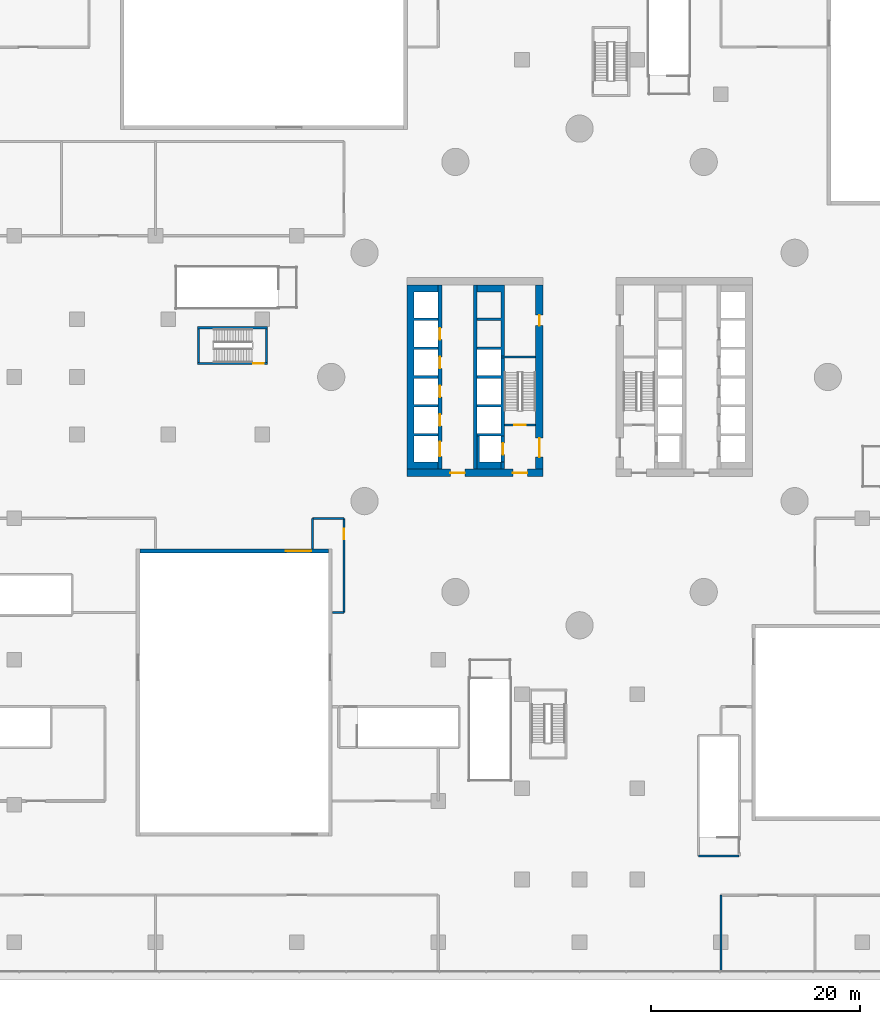
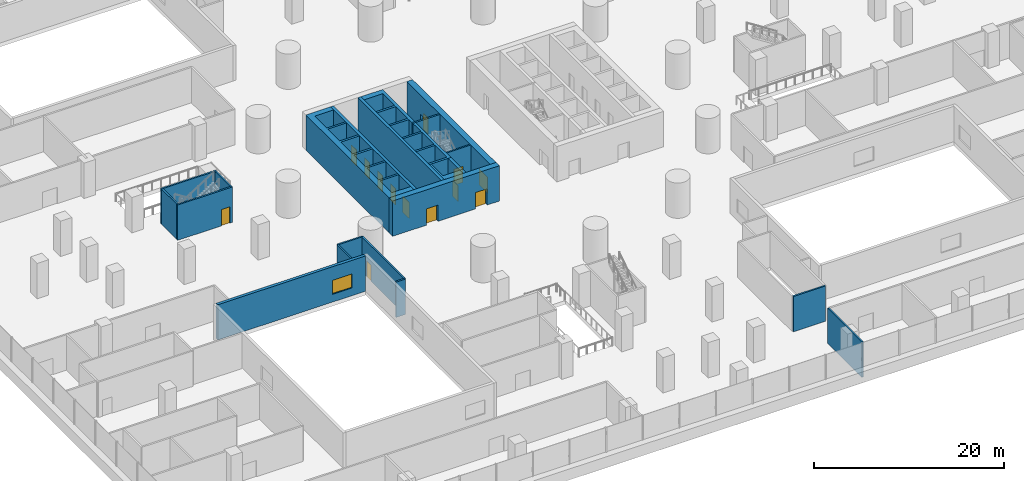
# One storey, part 24 of 38: 22 walls, 13 doors, 1 window, 14 openings.
"""IFC4 building model written with IfcOpenShell, lengths in metres."""

from ifc_helpers import new_model, si_unit, direction, frame, frame_2d, origin, place, context, subcontext, project, spatial, polyline, rectangle, outline, extrude, material, layer, layer_set, type_object, element, fill, save


model = new_model("IFC4")

# Units and contexts
model_context = context("Model", 3, precision=1e-05, world=origin(), true_north=direction((0.0, 1.0)))
body_context = subcontext(model_context, "Body", "Model", "MODEL_VIEW")
ifc_project = project(units=[si_unit("LENGTHUNIT", "METRE"), si_unit("AREAUNIT", "SQUARE_METRE"), si_unit("VOLUMEUNIT", "CUBIC_METRE"), si_unit("PLANEANGLEUNIT", "RADIAN"), si_unit("MASSUNIT", "GRAM", prefix="KILO")], contexts=[model_context])

# Site, building, storey
site_placement = place(None, origin())
site = spatial("IfcSite", under=ifc_project, at=site_placement, CompositionType="ELEMENT")
building_placement = place(site_placement, origin())
building = spatial("IfcBuilding", under=site, at=building_placement, Name="Tamarind Cross Interchange Tower", CompositionType="ELEMENT")
storey_placement = place(building_placement, frame((0.0, 0.0, 20.0)))
storey = spatial("IfcBuildingStorey", under=building, at=storey_placement, Name="L03", CompositionType="ELEMENT", Elevation=20.0)

# Wall, openings, doors
ifc_material_1 = material(Name="Concrete C80", Category="concrete")
ifc_layer_1 = layer(ifc_material_1, 0.699951171875)
ifc_layer_set_1 = layer_set([ifc_layer_1], Name="Concrete C80")
wall_type_1 = type_object("IfcWallType", Name="Core wall 700 mm Concrete C80", PredefinedType="SHEAR", material=ifc_layer_set_1)
wall_1_placement = place(storey_placement, frame((-16.5, -9.14990234375, 0.0), z_axis=(0.0, 0.0, 1.0), x_axis=(1.0, 0.0, 0.0)))
wall_1 = element("IfcWall", 1, at=wall_1_placement, inside=storey, type_object=wall_type_1, Name="Core wall CWL-L03-W-S", PredefinedType="SHEAR", context=body_context, shape_type="SweptSolid", body=[
    extrude(rectangle(XDim=13.0, YDim=0.699951171875, at=frame_2d((6.5, 0.0))), origin(), (0.0, 0.0, 1.0), 4.550048828125),
])
opening_1_placement = place(wall_1_placement, frame((4.14990234375, 0.0, 0.0)))
opening_1 = element("IfcOpeningElement", 2, at=opening_1_placement, cuts=wall_1, Name="Opening DCW1", PredefinedType="OPENING", context=body_context, shape_type="SweptSolid", body=[
    extrude(rectangle(XDim=1.39990234375, YDim=2.10009765625, at=frame_2d((0.699951171875, 1.050048828125))), frame((0.0, 0.35986328125, 0.0), z_axis=(0.0, -1.0, 0.0), x_axis=(1.0, 0.0, 0.0)), (0.0, 0.0, 1.0), 0.719970703125),
])
opening_2_placement = place(wall_1_placement, frame((10.125, 0.0, 0.0)))
opening_2 = element("IfcOpeningElement", 3, at=opening_2_placement, cuts=wall_1, Name="Opening DCWF", PredefinedType="OPENING", context=body_context, shape_type="SweptSolid", body=[
    extrude(rectangle(XDim=1.39990234375, YDim=2.10009765625, at=frame_2d((0.699951171875, 1.050048828125))), frame((0.0, 0.35986328125, 0.0), z_axis=(0.0, -1.0, 0.0), x_axis=(1.0, 0.0, 0.0)), (0.0, 0.0, 1.0), 0.719970703125),
])
ifc_material_2 = material(Name="Steel, fire-resisting", Category="steel")
door_type_1 = type_object("IfcDoorType", Name="Core fire door 1400 x 2100 FD90", OperationType="SINGLE_SWING_LEFT", PredefinedType="DOOR", material=ifc_material_2)
door_1_placement = place(opening_1_placement, origin())
door_1 = element("IfcDoor", 4, at=door_1_placement, inside=storey, type_object=door_type_1, Name="L03 lift lobby door", OperationType="SINGLE_SWING_LEFT", OverallHeight=2.10009765625, OverallWidth=1.39990234375, PredefinedType="DOOR", context=body_context, shape_type="SweptSolid", body=[
    extrude(rectangle(XDim=1.39990234375, YDim=2.10009765625, at=frame_2d((0.699951171875, 1.050048828125))), frame((0.0, 0.02490234375, 0.0), z_axis=(0.0, -1.0, 0.0), x_axis=(1.0, 0.0, 0.0)), (0.0, 0.0, 1.0), 0.050048828125),
])
fill(opening_1, door_1)
door_2_placement = place(opening_2_placement, origin())
door_2 = element("IfcDoor", 5, at=door_2_placement, inside=storey, type_object=door_type_1, Name="L03 firefighting lobby end door", OperationType="SINGLE_SWING_LEFT", OverallHeight=2.10009765625, OverallWidth=1.39990234375, PredefinedType="DOOR", context=body_context, shape_type="SweptSolid", body=[
    extrude(rectangle(XDim=1.39990234375, YDim=2.10009765625, at=frame_2d((0.699951171875, 1.050048828125))), frame((0.0, 0.02490234375, 0.0), z_axis=(0.0, -1.0, 0.0), x_axis=(1.0, 0.0, 0.0)), (0.0, 0.0, 1.0), 0.050048828125),
])
fill(opening_2, door_2)

# Wall
wall_2_placement = place(storey_placement, origin())
element("IfcWall", 6, at=wall_2_placement, inside=storey, type_object=wall_type_1, Name="Core wall CWL-L03-W-A", PredefinedType="SHEAR", context=body_context, shape_type="SweptSolid", body=[
    extrude(outline(polyline([(-13.5, -8.800048828125), (-13.5, -8.125), (-15.800048828125, -8.125), (-15.800048828125, -5.625), (-13.5, -5.625), (-13.5, -5.375), (-15.800048828125, -5.375), (-15.800048828125, -2.875), (-13.5, -2.875), (-13.5, -2.625), (-15.800048828125, -2.625), (-15.800048828125, -0.125), (-13.5, -0.125), (-13.5, 0.125), (-15.800048828125, 0.125), (-15.800048828125, 2.625), (-13.5, 2.625), (-13.5, 2.875), (-15.800048828125, 2.875), (-15.800048828125, 5.375), (-13.5, 5.375), (-13.5, 5.625), (-15.800048828125, 5.625), (-15.800048828125, 8.125), (-13.5, 8.125), (-13.5, 8.800048828125), (-15.800048828125, 8.800048828125), (-16.5, 8.800048828125), (-16.5, -8.800048828125), (-15.800048828125, -8.800048828125), (-13.5, -8.800048828125)])), origin(), (0.0, 0.0, 1.0), 4.550048828125),
])

# Wall, openings, doors
wall_3_placement = place(storey_placement, frame((-3.85009765625, -8.800048828125, 0.0), z_axis=(0.0, 0.0, 1.0), x_axis=(0.0, 1.0, 0.0)))
wall_3 = element("IfcWall", 7, at=wall_3_placement, inside=storey, type_object=wall_type_1, Name="Core wall CWL-L03-W-IN", PredefinedType="SHEAR", context=body_context, shape_type="SweptSolid", body=[
    extrude(rectangle(XDim=17.60009765625, YDim=0.699951171875, at=frame_2d((8.800048828125, 0.0))), origin(), (0.0, 0.0, 1.0), 4.550048828125),
])
opening_3_placement = place(wall_3_placement, frame((1.14990234375, 0.0, 0.0)))
opening_3 = element("IfcOpeningElement", 8, at=opening_3_placement, cuts=wall_3, Name="Opening DCW4", PredefinedType="OPENING", context=body_context, shape_type="SweptSolid", body=[
    extrude(rectangle(XDim=1.800048828125, YDim=2.10009765625, at=frame_2d((0.89990234375, 1.050048828125))), frame((0.0, 0.35986328125, 0.0), z_axis=(0.0, -1.0, 0.0), x_axis=(1.0, 0.0, 0.0)), (0.0, 0.0, 1.0), 0.719970703125),
])
opening_4_placement = place(wall_3_placement, frame((13.699951171875, 0.0, 0.0)))
opening_4 = element("IfcOpeningElement", 9, at=opening_4_placement, cuts=wall_3, Name="Opening DCW5", PredefinedType="OPENING", context=body_context, shape_type="SweptSolid", body=[
    extrude(rectangle(XDim=1.0, YDim=2.10009765625, at=frame_2d((0.5, 1.050048828125))), frame((0.0, 0.35986328125, 0.0), z_axis=(0.0, -1.0, 0.0), x_axis=(1.0, 0.0, 0.0)), (0.0, 0.0, 1.0), 0.719970703125),
])
door_type_2 = type_object("IfcDoorType", Name="Core fire door 1000 x 2100 FD90", OperationType="SINGLE_SWING_LEFT", PredefinedType="DOOR", material=ifc_material_2)
door_3_placement = place(opening_4_placement, origin())
door_3 = element("IfcDoor", 10, at=door_3_placement, inside=storey, type_object=door_type_2, Name="L03 riser room door", OperationType="SINGLE_SWING_LEFT", OverallHeight=2.10009765625, OverallWidth=1.0, PredefinedType="DOOR", context=body_context, shape_type="SweptSolid", body=[
    extrude(rectangle(XDim=1.0, YDim=2.10009765625, at=frame_2d((0.5, 1.050048828125))), frame((0.0, 0.02490234375, 0.0), z_axis=(0.0, -1.0, 0.0), x_axis=(1.0, 0.0, 0.0)), (0.0, 0.0, 1.0), 0.050048828125),
])
fill(opening_4, door_3)
door_type_3 = type_object("IfcDoorType", Name="Core fire door 1800 x 2100 FD90", OperationType="SINGLE_SWING_LEFT", PredefinedType="DOOR", material=ifc_material_2)
door_4_placement = place(opening_3_placement, origin())
door_4 = element("IfcDoor", 11, at=door_4_placement, inside=storey, type_object=door_type_3, Name="L03 firefighting lobby door", OperationType="SINGLE_SWING_LEFT", OverallHeight=2.10009765625, OverallWidth=1.800048828125, PredefinedType="DOOR", context=body_context, shape_type="SweptSolid", body=[
    extrude(rectangle(XDim=1.800048828125, YDim=2.10009765625, at=frame_2d((0.89990234375, 1.050048828125))), frame((0.0, 0.02490234375, 0.0), z_axis=(0.0, -1.0, 0.0), x_axis=(1.0, 0.0, 0.0)), (0.0, 0.0, 1.0), 0.050048828125),
])
fill(opening_3, door_4)

# Walls
ifc_layer_2 = layer(ifc_material_1, 0.199951171875)
ifc_layer_set_2 = layer_set([ifc_layer_2], Name="Concrete C80")
wall_type_2 = type_object("IfcWallType", Name="Core web wall 200 mm Concrete C80", PredefinedType="SHEAR", material=ifc_layer_set_2)
wall_4_placement = place(storey_placement, frame((-7.5, 1.89990234375, 0.0), z_axis=(0.0, 0.0, 1.0), x_axis=(1.0, 0.0, 0.0)))
element("IfcWall", 12, at=wall_4_placement, inside=storey, type_object=wall_type_2, Name="Core wall CWL-L03-W-BD", PredefinedType="SHEAR", context=body_context, shape_type="SweptSolid", body=[
    extrude(rectangle(XDim=3.300048828125, YDim=0.199951171875, at=frame_2d((1.64990234375, 0.0))), origin(), (0.0, 0.0, 1.0), 4.550048828125),
])
ifc_layer_3 = layer(ifc_material_1, 0.35009765625)
ifc_layer_set_3 = layer_set([ifc_layer_3], Name="Concrete C80")
wall_type_3 = type_object("IfcWallType", Name="Core web wall 350 mm Concrete C80", PredefinedType="SHEAR", material=ifc_layer_set_3)
wall_5_placement = place(storey_placement, origin())
element("IfcWall", 13, at=wall_5_placement, inside=storey, type_object=wall_type_3, Name="Core wall CWL-L03-W-BN", PredefinedType="SHEAR", context=body_context, shape_type="SweptSolid", body=[
    extrude(outline(polyline([(-9.800048828125, -5.375), (-9.800048828125, -5.625), (-7.5, -5.625), (-7.14990234375, -5.625), (-7.14990234375, 8.800048828125), (-7.5, 8.800048828125), (-9.800048828125, 8.800048828125), (-9.800048828125, 8.125), (-7.5, 8.125), (-7.5, 5.625), (-9.800048828125, 5.625), (-9.800048828125, 5.375), (-7.5, 5.375), (-7.5, 2.875), (-9.800048828125, 2.875), (-9.800048828125, 2.625), (-7.5, 2.625), (-7.5, 0.125), (-9.800048828125, 0.125), (-9.800048828125, -0.125), (-7.5, -0.125), (-7.5, -2.625), (-9.800048828125, -2.625), (-9.800048828125, -2.875), (-7.5, -2.875), (-7.5, -5.375), (-9.800048828125, -5.375)])), origin(), (0.0, 0.0, 1.0), 4.550048828125),
])
wall_6_placement = place(storey_placement, origin())
element("IfcWall", 14, at=wall_6_placement, inside=storey, type_object=wall_type_3, Name="Core wall CWL-L03-W-BS", PredefinedType="SHEAR", context=body_context, shape_type="SweptSolid", body=[
    extrude(outline(polyline([(-7.5, -8.125), (-9.550048828125, -8.125), (-9.550048828125, -5.625), (-9.800048828125, -5.625), (-9.800048828125, -8.125), (-9.800048828125, -8.800048828125), (-7.5, -8.800048828125), (-7.5, -8.125)])), origin(), (0.0, 0.0, 1.0), 4.550048828125),
])
wall_7_placement = place(storey_placement, frame((-7.324951171875, -8.800048828125, 0.0), z_axis=(0.0, 0.0, 1.0), x_axis=(0.0, 1.0, 0.0)))
element("IfcWall", 15, at=wall_7_placement, inside=storey, type_object=wall_type_3, Name="Core wall CWL-L03-W-BW", PredefinedType="SHEAR", context=body_context, shape_type="SweptSolid", body=[
    extrude(rectangle(XDim=0.675048828125, YDim=0.35009765625, at=frame_2d((0.33740234375, 0.0))), origin(), (0.0, 0.0, 1.0), 4.550048828125),
])

# Wall, openings, doors
wall_8_placement = place(storey_placement, frame((-13.324951171875, -8.800048828125, 0.0), z_axis=(0.0, 0.0, 1.0), x_axis=(0.0, 1.0, 0.0)))
wall_8 = element("IfcWall", 16, at=wall_8_placement, inside=storey, type_object=wall_type_3, Name="Core wall CWL-L03-W-LA", PredefinedType="SHEAR", context=body_context, shape_type="SweptSolid", body=[
    extrude(rectangle(XDim=17.60009765625, YDim=0.35009765625, at=frame_2d((8.800048828125, 0.0))), origin(), (0.0, 0.0, 1.0), 4.550048828125),
])
opening_5_placement = place(wall_8_placement, frame((1.22509765625, 0.0, 0.0)))
opening_5 = element("IfcOpeningElement", 17, at=opening_5_placement, cuts=wall_8, Name="Opening LD1L03", PredefinedType="OPENING", context=body_context, shape_type="SweptSolid", body=[
    extrude(rectangle(XDim=1.39990234375, YDim=2.10009765625, at=frame_2d((0.699951171875, 1.050048828125))), frame((0.0, 0.18505859375, 0.0), z_axis=(0.0, -1.0, 0.0), x_axis=(1.0, 0.0, 0.0)), (0.0, 0.0, 1.0), 0.3701171875),
])
opening_6_placement = place(wall_8_placement, frame((4.125, 0.0, 0.0)))
opening_6 = element("IfcOpeningElement", 18, at=opening_6_placement, cuts=wall_8, Name="Opening LD2L03", PredefinedType="OPENING", context=body_context, shape_type="SweptSolid", body=[
    extrude(rectangle(XDim=1.10009765625, YDim=2.10009765625, at=frame_2d((0.550048828125, 1.050048828125))), frame((0.0, 0.18505859375, 0.0), z_axis=(0.0, -1.0, 0.0), x_axis=(1.0, 0.0, 0.0)), (0.0, 0.0, 1.0), 0.3701171875),
])
opening_7_placement = place(wall_8_placement, frame((6.875, 0.0, 0.0)))
opening_7 = element("IfcOpeningElement", 19, at=opening_7_placement, cuts=wall_8, Name="Opening LD3L03", PredefinedType="OPENING", context=body_context, shape_type="SweptSolid", body=[
    extrude(rectangle(XDim=1.10009765625, YDim=2.10009765625, at=frame_2d((0.550048828125, 1.050048828125))), frame((0.0, 0.18505859375, 0.0), z_axis=(0.0, -1.0, 0.0), x_axis=(1.0, 0.0, 0.0)), (0.0, 0.0, 1.0), 0.3701171875),
])
opening_8_placement = place(wall_8_placement, frame((9.625, 0.0, 0.0)))
opening_8 = element("IfcOpeningElement", 20, at=opening_8_placement, cuts=wall_8, Name="Opening LD4L03", PredefinedType="OPENING", context=body_context, shape_type="SweptSolid", body=[
    extrude(rectangle(XDim=1.10009765625, YDim=2.10009765625, at=frame_2d((0.550048828125, 1.050048828125))), frame((0.0, 0.18505859375, 0.0), z_axis=(0.0, -1.0, 0.0), x_axis=(1.0, 0.0, 0.0)), (0.0, 0.0, 1.0), 0.3701171875),
])
opening_9_placement = place(wall_8_placement, frame((12.375, 0.0, 0.0)))
opening_9 = element("IfcOpeningElement", 21, at=opening_9_placement, cuts=wall_8, Name="Opening LD5L03", PredefinedType="OPENING", context=body_context, shape_type="SweptSolid", body=[
    extrude(rectangle(XDim=1.10009765625, YDim=2.10009765625, at=frame_2d((0.550048828125, 1.050048828125))), frame((0.0, 0.18505859375, 0.0), z_axis=(0.0, -1.0, 0.0), x_axis=(1.0, 0.0, 0.0)), (0.0, 0.0, 1.0), 0.3701171875),
])
ifc_material_3 = material(Name="Stainless steel panel", Category="steel")
door_type_4 = type_object("IfcDoorType", Name="Lift landing door 1100 x 2100 E 120", OperationType="SLIDING_TO_LEFT", PredefinedType="DOOR", material=ifc_material_3)
door_5_placement = place(opening_6_placement, origin())
door_5 = element("IfcDoor", 22, at=door_5_placement, inside=storey, type_object=door_type_4, Name="L03 landing door LF2", OperationType="SLIDING_TO_LEFT", OverallHeight=2.10009765625, OverallWidth=1.10009765625, PredefinedType="DOOR", context=body_context, shape_type="SweptSolid", body=[
    extrude(rectangle(XDim=1.10009765625, YDim=2.10009765625, at=frame_2d((0.550048828125, 1.050048828125))), frame((0.0, 0.02490234375, 0.0), z_axis=(0.0, -1.0, 0.0), x_axis=(1.0, 0.0, 0.0)), (0.0, 0.0, 1.0), 0.050048828125),
])
fill(opening_6, door_5)
door_6_placement = place(opening_7_placement, origin())
door_6 = element("IfcDoor", 23, at=door_6_placement, inside=storey, type_object=door_type_4, Name="L03 landing door LF3", OperationType="SLIDING_TO_LEFT", OverallHeight=2.10009765625, OverallWidth=1.10009765625, PredefinedType="DOOR", context=body_context, shape_type="SweptSolid", body=[
    extrude(rectangle(XDim=1.10009765625, YDim=2.10009765625, at=frame_2d((0.550048828125, 1.050048828125))), frame((0.0, 0.02490234375, 0.0), z_axis=(0.0, -1.0, 0.0), x_axis=(1.0, 0.0, 0.0)), (0.0, 0.0, 1.0), 0.050048828125),
])
fill(opening_7, door_6)
door_7_placement = place(opening_8_placement, origin())
door_7 = element("IfcDoor", 24, at=door_7_placement, inside=storey, type_object=door_type_4, Name="L03 landing door LF4", OperationType="SLIDING_TO_LEFT", OverallHeight=2.10009765625, OverallWidth=1.10009765625, PredefinedType="DOOR", context=body_context, shape_type="SweptSolid", body=[
    extrude(rectangle(XDim=1.10009765625, YDim=2.10009765625, at=frame_2d((0.550048828125, 1.050048828125))), frame((0.0, 0.02490234375, 0.0), z_axis=(0.0, -1.0, 0.0), x_axis=(1.0, 0.0, 0.0)), (0.0, 0.0, 1.0), 0.050048828125),
])
fill(opening_8, door_7)
door_8_placement = place(opening_9_placement, origin())
door_8 = element("IfcDoor", 25, at=door_8_placement, inside=storey, type_object=door_type_4, Name="L03 landing door LF5", OperationType="SLIDING_TO_LEFT", OverallHeight=2.10009765625, OverallWidth=1.10009765625, PredefinedType="DOOR", context=body_context, shape_type="SweptSolid", body=[
    extrude(rectangle(XDim=1.10009765625, YDim=2.10009765625, at=frame_2d((0.550048828125, 1.050048828125))), frame((0.0, 0.02490234375, 0.0), z_axis=(0.0, -1.0, 0.0), x_axis=(1.0, 0.0, 0.0)), (0.0, 0.0, 1.0), 0.050048828125),
])
fill(opening_9, door_8)
door_type_5 = type_object("IfcDoorType", Name="Lift landing door 1400 x 2100 E 120", OperationType="SLIDING_TO_LEFT", PredefinedType="DOOR", material=ifc_material_3)
door_9_placement = place(opening_5_placement, origin())
door_9 = element("IfcDoor", 26, at=door_9_placement, inside=storey, type_object=door_type_5, Name="L03 landing door LF1", OperationType="SLIDING_TO_LEFT", OverallHeight=2.10009765625, OverallWidth=1.39990234375, PredefinedType="DOOR", context=body_context, shape_type="SweptSolid", body=[
    extrude(rectangle(XDim=1.39990234375, YDim=2.10009765625, at=frame_2d((0.699951171875, 1.050048828125))), frame((0.0, 0.02490234375, 0.0), z_axis=(0.0, -1.0, 0.0), x_axis=(1.0, 0.0, 0.0)), (0.0, 0.0, 1.0), 0.050048828125),
])
fill(opening_5, door_9)

# Wall
wall_9_placement = place(storey_placement, frame((-9.97509765625, -8.800048828125, 0.0), z_axis=(0.0, 0.0, 1.0), x_axis=(0.0, 1.0, 0.0)))
element("IfcWall", 27, at=wall_9_placement, inside=storey, type_object=wall_type_3, Name="Core wall CWL-L03-W-LB", PredefinedType="SHEAR", context=body_context, shape_type="SweptSolid", body=[
    extrude(rectangle(XDim=17.60009765625, YDim=0.35009765625, at=frame_2d((8.800048828125, 0.0))), origin(), (0.0, 0.0, 1.0), 4.550048828125),
])

# Wall, opening, door
wall_10_placement = place(storey_placement, frame((-7.324951171875, -8.125, 0.0), z_axis=(0.0, 0.0, 1.0), x_axis=(0.0, 1.0, 0.0)))
wall_10 = element("IfcWall", 28, at=wall_10_placement, inside=storey, type_object=wall_type_3, Name="Core wall CWL-L03-W-FF", PredefinedType="SHEAR", context=body_context, shape_type="SweptSolid", body=[
    extrude(rectangle(XDim=2.5, YDim=0.35009765625, at=frame_2d((1.25, 0.0))), origin(), (0.0, 0.0, 1.0), 4.550048828125),
])
opening_10_placement = place(wall_10_placement, frame((0.699951171875, 0.0, 0.0)))
opening_10 = element("IfcOpeningElement", 29, at=opening_10_placement, cuts=wall_10, Name="Opening LD7L03", PredefinedType="OPENING", context=body_context, shape_type="SweptSolid", body=[
    extrude(rectangle(XDim=1.10009765625, YDim=2.10009765625, at=frame_2d((0.550048828125, 1.050048828125))), frame((0.0, 0.18505859375, 0.0), z_axis=(0.0, -1.0, 0.0), x_axis=(1.0, 0.0, 0.0)), (0.0, 0.0, 1.0), 0.3701171875),
])
door_10_placement = place(opening_10_placement, origin())
door_10 = element("IfcDoor", 30, at=door_10_placement, inside=storey, type_object=door_type_4, Name="L03 landing door LF7", OperationType="SLIDING_TO_LEFT", OverallHeight=2.10009765625, OverallWidth=1.10009765625, PredefinedType="DOOR", context=body_context, shape_type="SweptSolid", body=[
    extrude(rectangle(XDim=1.10009765625, YDim=2.10009765625, at=frame_2d((0.550048828125, 1.050048828125))), frame((0.0, 0.02490234375, 0.0), z_axis=(0.0, -1.0, 0.0), x_axis=(1.0, 0.0, 0.0)), (0.0, 0.0, 1.0), 0.050048828125),
])
fill(opening_10, door_10)

# Walls
ifc_material_4 = material(Name="Masonry partition, fire-rated", Category="masonry")
ifc_layer_4 = layer(ifc_material_4, 0.199951171875)
ifc_layer_set_4 = layer_set([ifc_layer_4], Name="Masonry partition, fire-rated")
wall_type_4 = type_object("IfcWallType", Name="Fire partition 200 EI 120", PredefinedType="PARTITIONING", material=ifc_layer_set_4)
wall_11_placement = place(storey_placement, frame((13.5, -56.698974609375, 0.0), z_axis=(0.0, 0.0, 1.0), x_axis=(0.0, 1.0, 0.0)))
element("IfcWall", 31, at=wall_11_placement, inside=storey, type_object=wall_type_4, Name="L03 partition 85", PredefinedType="PARTITIONING", context=body_context, shape_type="SweptSolid", body=[
    extrude(rectangle(XDim=7.198974609375, YDim=0.199951171875, at=frame_2d((3.599609375, 0.0))), origin(), (0.0, 0.0, 1.0), 4.550048828125),
])
ifc_layer_5 = layer(ifc_material_4, 0.199951171875)
ifc_layer_set_5 = layer_set([ifc_layer_5], Name="Masonry partition, fire-rated")
wall_type_5 = type_object("IfcWallType", Name="Fire partition 200 EI 90", PredefinedType="PARTITIONING", material=ifc_layer_set_5)
wall_12_placement = place(storey_placement, frame((-25.5, -16.419921875, 0.0), z_axis=(0.0, 0.0, 1.0), x_axis=(0.0, 1.0, 0.0)))
element("IfcWall", 32, at=wall_12_placement, inside=storey, type_object=wall_type_5, Name="L03 partition 73", PredefinedType="PARTITIONING", context=body_context, shape_type="SweptSolid", body=[
    extrude(rectangle(XDim=2.919921875, YDim=0.199951171875, at=frame_2d((1.4599609375, 0.0))), origin(), (0.0, 0.0, 1.0), 4.550048828125),
])
wall_13_placement = place(storey_placement, frame((-25.5, -13.5, 0.0), z_axis=(0.0, 0.0, 1.0), x_axis=(1.0, 0.0, 0.0)))
element("IfcWall", 33, at=wall_13_placement, inside=storey, type_object=wall_type_5, Name="L03 partition 74", PredefinedType="PARTITIONING", context=body_context, shape_type="SweptSolid", body=[
    extrude(rectangle(XDim=3.0, YDim=0.199951171875, at=frame_2d((1.5, 0.0))), origin(), (0.0, 0.0, 1.0), 4.550048828125),
])

# Wall, opening, door
wall_14_placement = place(storey_placement, frame((-22.5, -22.5, 0.0), z_axis=(0.0, 0.0, 1.0), x_axis=(0.0, 1.0, 0.0)))
wall_14 = element("IfcWall", 34, at=wall_14_placement, inside=storey, type_object=wall_type_5, Name="L03 partition 75", PredefinedType="PARTITIONING", context=body_context, shape_type="SweptSolid", body=[
    extrude(rectangle(XDim=9.0, YDim=0.199951171875, at=frame_2d((4.5, 0.0))), origin(), (0.0, 0.0, 1.0), 4.550048828125),
])
opening_11_placement = place(wall_14_placement, frame((6.985107421875, 0.0, 0.0)))
opening_11 = element("IfcOpeningElement", 35, at=opening_11_placement, cuts=wall_14, Name="Opening DL03-33", PredefinedType="OPENING", context=body_context, shape_type="SweptSolid", body=[
    extrude(rectangle(XDim=1.0, YDim=2.10009765625, at=frame_2d((0.5, 1.050048828125))), frame((0.0, 0.10986328125, 0.0), z_axis=(0.0, -1.0, 0.0), x_axis=(1.0, 0.0, 0.0)), (0.0, 0.0, 1.0), 0.219970703125),
])
door_type_6 = type_object("IfcDoorType", Name="Podium door 1000 x 2100 FD60", OperationType="SINGLE_SWING_LEFT", PredefinedType="DOOR", material=ifc_material_2)
door_11_placement = place(opening_11_placement, origin())
door_11 = element("IfcDoor", 36, at=door_11_placement, inside=storey, type_object=door_type_6, Name="L03 door Women's Toilets L03SW", OperationType="SINGLE_SWING_LEFT", OverallHeight=2.10009765625, OverallWidth=1.0, PredefinedType="DOOR", context=body_context, shape_type="SweptSolid", body=[
    extrude(rectangle(XDim=1.0, YDim=2.10009765625, at=frame_2d((0.5, 1.050048828125))), frame((0.0, 0.02490234375, 0.0), z_axis=(0.0, -1.0, 0.0), x_axis=(1.0, 0.0, 0.0)), (0.0, 0.0, 1.0), 0.050048828125),
])
fill(opening_11, door_11)

# Wall
wall_15_placement = place(storey_placement, frame((-23.6201171875, -22.5, 0.0), z_axis=(0.0, 0.0, 1.0), x_axis=(1.0, 0.0, 0.0)))
element("IfcWall", 37, at=wall_15_placement, inside=storey, type_object=wall_type_5, Name="L03 partition 76", PredefinedType="PARTITIONING", context=body_context, shape_type="SweptSolid", body=[
    extrude(rectangle(XDim=1.1201171875, YDim=0.199951171875, at=frame_2d((0.56005859375, 0.0))), origin(), (0.0, 0.0, 1.0), 4.550048828125),
])

# Wall, opening, window
ifc_material_5 = material(Name="Precast concrete C40", Category="concrete")
ifc_layer_6 = layer(ifc_material_5, 0.35009765625)
ifc_layer_set_6 = layer_set([ifc_layer_6], Name="Precast concrete C40")
wall_type_6 = type_object("IfcWallType", Name="Podium facade wall", PredefinedType="SOLIDWALL", material=ifc_layer_set_6)
wall_16_placement = place(storey_placement, frame((-42.0, -16.625, 0.0), z_axis=(0.0, 0.0, 1.0), x_axis=(1.0, 0.0, 0.0)))
wall_16 = element("IfcWall", 38, at=wall_16_placement, inside=storey, type_object=wall_type_6, Name="CTW-L03-SWN00", PredefinedType="SOLIDWALL", context=body_context, shape_type="SweptSolid", body=[
    extrude(rectangle(XDim=18.0, YDim=0.35009765625, at=frame_2d((9.0, 0.0))), origin(), (0.0, 0.0, 1.0), 4.550048828125),
])
opening_12_placement = place(wall_16_placement, frame((13.949951171875, 0.0, 1.0)))
opening_12 = element("IfcOpeningElement", 39, at=opening_12_placement, cuts=wall_16, Name="Opening W4", PredefinedType="OPENING", context=body_context, shape_type="SweptSolid", body=[
    extrude(rectangle(XDim=2.39990234375, YDim=1.800048828125, at=frame_2d((1.199951171875, 0.89990234375))), frame((0.0, 0.18505859375, 0.0), z_axis=(0.0, -1.0, 0.0), x_axis=(1.0, 0.0, 0.0)), (0.0, 0.0, 1.0), 0.3701171875),
])
ifc_material_6 = material(Name="Aluminium and toughened glass", Category="aluminium")
window_type = type_object("IfcWindowType", Name="Podium daylight window", PartitioningType="SINGLE_PANEL", PredefinedType="WINDOW", material=ifc_material_6)
window_placement = place(opening_12_placement, origin())
window = element("IfcWindow", 40, at=window_placement, inside=storey, type_object=window_type, Name="CTX-L03-SWN-01-00", OverallHeight=1.800048828125, OverallWidth=2.39990234375, PartitioningType="SINGLE_PANEL", PredefinedType="WINDOW", context=body_context, shape_type="SweptSolid", body=[
    extrude(rectangle(XDim=2.39990234375, YDim=1.800048828125, at=frame_2d((1.199951171875, 0.89990234375))), frame((0.0, 0.030029296875, 0.0), z_axis=(0.0, -1.0, 0.0), x_axis=(1.0, 0.0, 0.0)), (0.0, 0.0, 1.0), 0.06005859375),
])
fill(opening_12, window)

# Wall
ifc_material_7 = material(Name="Concrete C40", Category="concrete")
ifc_layer_7 = layer(ifc_material_7, 0.199951171875)
ifc_layer_set_7 = layer_set([ifc_layer_7], Name="Concrete C40")
wall_type_7 = type_object("IfcWallType", Name="Stair shaft wall 200 EI 180", PredefinedType="PARTITIONING", material=ifc_layer_set_7)
wall_17_placement = place(storey_placement, frame((11.35009765625, -45.75, 0.0), z_axis=(0.0, 0.0, 1.0), x_axis=(1.0, 0.0, 0.0)))
element("IfcWall", 41, at=wall_17_placement, inside=storey, type_object=wall_type_7, Name="L03 stair shaft wall 28", PredefinedType="PARTITIONING", context=body_context, shape_type="SweptSolid", body=[
    extrude(rectangle(XDim=3.89990234375, YDim=0.199951171875, at=frame_2d((1.949951171875, 0.0))), origin(), (0.0, 0.0, 1.0), 4.550048828125),
])

# Wall, opening, door
ifc_layer_8 = layer(ifc_material_7, 0.199951171875)
ifc_layer_set_8 = layer_set([ifc_layer_8], Name="Concrete C40")
wall_type_8 = type_object("IfcWallType", Name="Stair shaft wall 200 mm Concrete C40", PredefinedType="SHEAR", material=ifc_layer_set_8)
wall_18_placement = place(storey_placement, frame((-7.14990234375, -4.60009765625, 0.0), z_axis=(0.0, 0.0, 1.0), x_axis=(1.0, 0.0, 0.0)))
wall_18 = element("IfcWall", 42, at=wall_18_placement, inside=storey, type_object=wall_type_8, Name="Core wall CWL-L03-W-SD", PredefinedType="SHEAR", context=body_context, shape_type="SweptSolid", body=[
    extrude(rectangle(XDim=2.949951171875, YDim=0.199951171875, at=frame_2d((1.47509765625, 0.0))), origin(), (0.0, 0.0, 1.0), 4.550048828125),
])
opening_13_placement = place(wall_18_placement, frame((0.925048828125, 0.0, 0.0)))
opening_13 = element("IfcOpeningElement", 43, at=opening_13_placement, cuts=wall_18, Name="Opening DCW6", PredefinedType="OPENING", context=body_context, shape_type="SweptSolid", body=[
    extrude(rectangle(XDim=1.10009765625, YDim=2.10009765625, at=frame_2d((0.550048828125, 1.050048828125))), frame((0.0, 0.10986328125, 0.0), z_axis=(0.0, -1.0, 0.0), x_axis=(1.0, 0.0, 0.0)), (0.0, 0.0, 1.0), 0.219970703125),
])
door_type_7 = type_object("IfcDoorType", Name="Core fire door 1100 x 2100 FD90", OperationType="SINGLE_SWING_LEFT", PredefinedType="DOOR", material=ifc_material_2)
door_12_placement = place(opening_13_placement, origin())
door_12 = element("IfcDoor", 44, at=door_12_placement, inside=storey, type_object=door_type_7, Name="L03 stair door", OperationType="SINGLE_SWING_LEFT", OverallHeight=2.10009765625, OverallWidth=1.10009765625, PredefinedType="DOOR", context=body_context, shape_type="SweptSolid", body=[
    extrude(rectangle(XDim=1.10009765625, YDim=2.10009765625, at=frame_2d((0.550048828125, 1.050048828125))), frame((0.0, 0.02490234375, 0.0), z_axis=(0.0, -1.0, 0.0), x_axis=(1.0, 0.0, 0.0)), (0.0, 0.0, 1.0), 0.050048828125),
])
fill(opening_13, door_12)

wall_19_placement = place(storey_placement, frame((-29.800048828125, 1.300048828125, 0.0), z_axis=(0.0, 0.0, 1.0), x_axis=(-1.0, 0.0, 0.0)))
wall_19 = element("IfcWall", 45, at=wall_19_placement, inside=storey, type_object=wall_type_8, Name="Core wall CWL-L03-ST5-H", PredefinedType="SHEAR", context=body_context, shape_type="SweptSolid", body=[
    extrude(rectangle(XDim=6.699951171875, YDim=0.199951171875, at=frame_2d((3.35009765625, 0.0))), origin(), (0.0, 0.0, 1.0), 4.550048828125),
])
opening_14_placement = place(wall_19_placement, frame((0.35009765625, 0.0, 0.0)))
opening_14 = element("IfcOpeningElement", 46, at=opening_14_placement, cuts=wall_19, Name="Opening ST5L03", PredefinedType="OPENING", context=body_context, shape_type="SweptSolid", body=[
    extrude(rectangle(XDim=1.0, YDim=2.10009765625, at=frame_2d((0.5, 1.050048828125))), frame((0.0, 0.10986328125, 0.0), z_axis=(0.0, -1.0, 0.0), x_axis=(1.0, 0.0, 0.0)), (0.0, 0.0, 1.0), 0.219970703125),
])
door_13_placement = place(opening_14_placement, origin())
door_13 = element("IfcDoor", 47, at=door_13_placement, inside=storey, type_object=door_type_2, Name="L03 stair door ST5", OperationType="SINGLE_SWING_LEFT", OverallHeight=2.10009765625, OverallWidth=1.0, PredefinedType="DOOR", context=body_context, shape_type="SweptSolid", body=[
    extrude(rectangle(XDim=1.0, YDim=2.10009765625, at=frame_2d((0.5, 1.050048828125))), frame((0.0, 0.02490234375, 0.0), z_axis=(0.0, -1.0, 0.0), x_axis=(1.0, 0.0, 0.0)), (0.0, 0.0, 1.0), 0.050048828125),
])
fill(opening_14, door_13)

# Walls
wall_20_placement = place(storey_placement, frame((-29.800048828125, 4.699951171875, 0.0), z_axis=(0.0, 0.0, 1.0), x_axis=(-1.0, 0.0, 0.0)))
element("IfcWall", 48, at=wall_20_placement, inside=storey, type_object=wall_type_8, Name="Core wall CWL-L03-ST5-C", PredefinedType="SHEAR", context=body_context, shape_type="SweptSolid", body=[
    extrude(rectangle(XDim=6.699951171875, YDim=0.199951171875, at=frame_2d((3.35009765625, 0.0))), origin(), (0.0, 0.0, 1.0), 4.550048828125),
])
wall_21_placement = place(storey_placement, frame((-29.89990234375, 4.60009765625, 0.0), z_axis=(0.0, 0.0, 1.0), x_axis=(0.0, -1.0, 0.0)))
element("IfcWall", 49, at=wall_21_placement, inside=storey, type_object=wall_type_8, Name="Core wall CWL-L03-ST5-CE", PredefinedType="SHEAR", context=body_context, shape_type="SweptSolid", body=[
    extrude(rectangle(XDim=3.2001953125, YDim=0.199951171875, at=frame_2d((1.60009765625, 0.0))), origin(), (0.0, 0.0, 1.0), 4.550048828125),
])
wall_22_placement = place(storey_placement, origin())
element("IfcWall", 50, at=wall_22_placement, inside=storey, type_object=wall_type_8, Name="Core wall CWL-L03-ST5-CF", PredefinedType="SHEAR", context=body_context, shape_type="SweptSolid", body=[
    extrude(outline(polyline([(-36.300048828125, 4.60009765625), (-36.5, 4.60009765625), (-36.5, 1.39990234375), (-36.300048828125, 1.39990234375), (-36.300048828125, 4.60009765625)])), origin(), (0.0, 0.0, 1.0), 4.550048828125),
])

save(model, "model.ifc")
